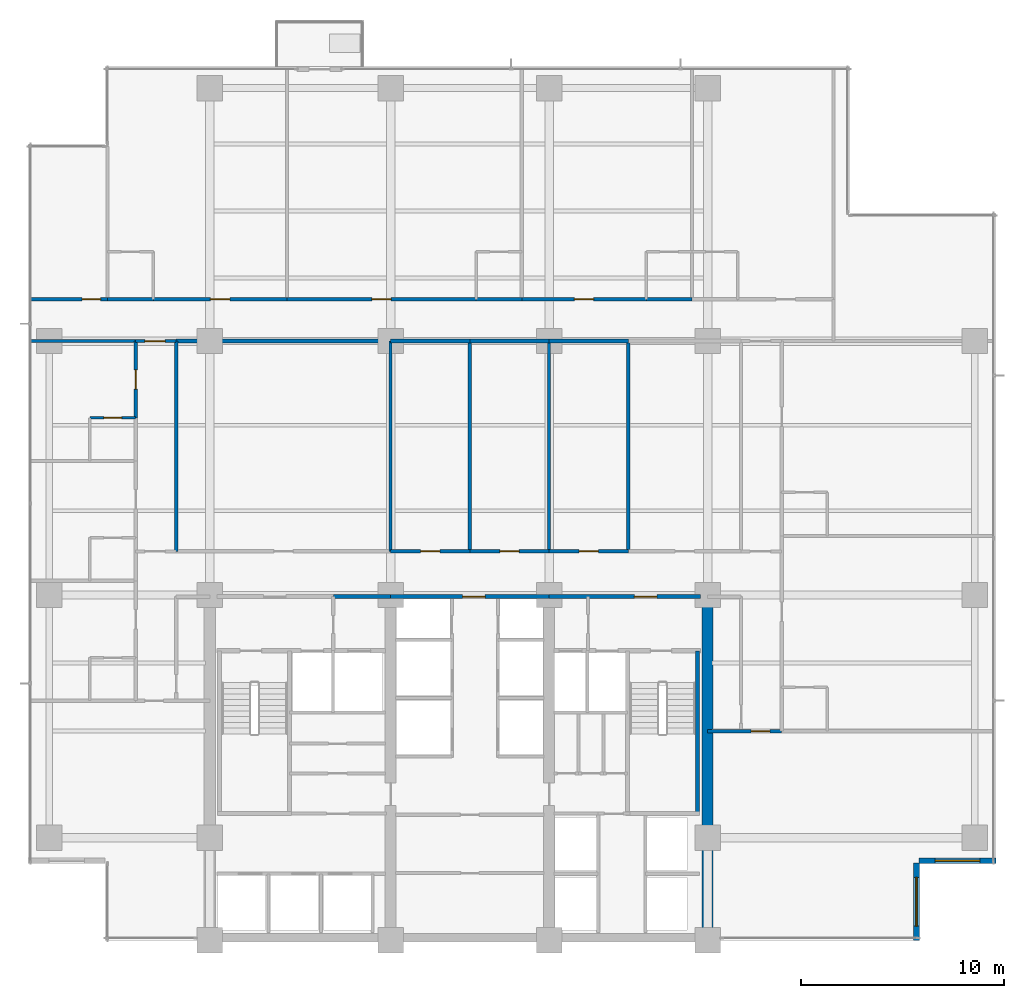
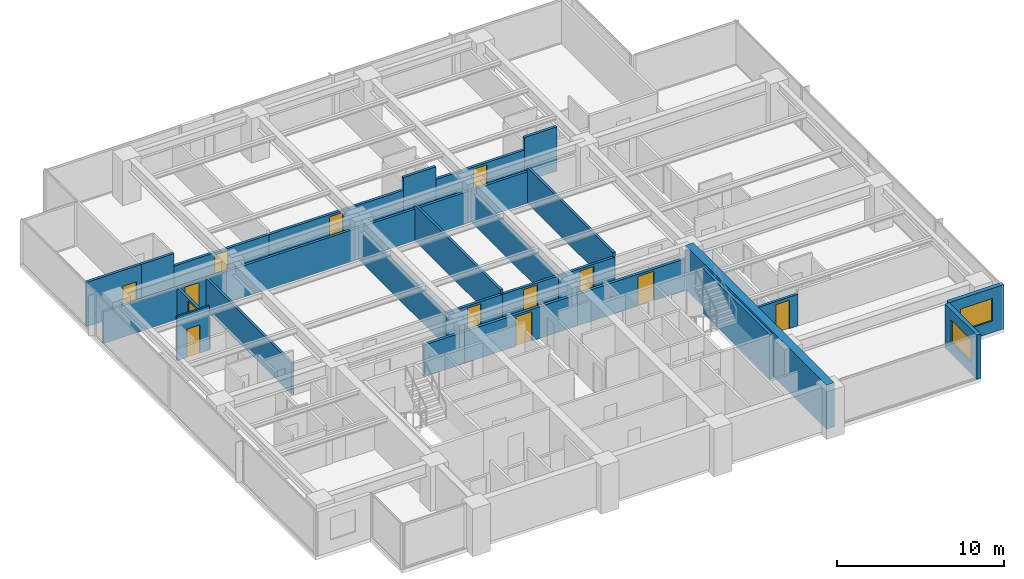
# One storey, part 10 of 17: 31 walls, 13 doors, 2 windows, 15 openings.
"""IFC4 building model written with IfcOpenShell, lengths in metres."""

import ifcopenshell
import ifcopenshell.guid

model = None  # the IFC model being written
_history = None  # IfcOwnerHistory: only IFC2X3 demands one
_inside = {}  # id of a spatial element -> (the spatial element, [elements in it])
_under = {}  # id of a project, library or spatial element -> (it, [spatial elements below it])
_declared = {}  # id of a project -> (the project, [libraries it declares])
_typed = {}  # id of a type object -> (the type object, [elements of that type])
_made_of = {}  # id of a material, layer set ... -> (it, [elements and type objects made of it])


def new_model(schema):
    """Start an empty IFC model of exactly this schema.

    Asked for "IFC4X3", IfcOpenShell would pick the latest addendum, in which some entities
    have other attributes; the version numbers below select the first issue.
    IFC2X3 requires an IfcOwnerHistory on every rooted entity: one is made here for all.
    """
    global model, _history
    if schema == "IFC4X3":
        model = ifcopenshell.file(schema_version=(4, 3, 0, 0))
    else:
        model = ifcopenshell.file(schema=schema)
    _inside.clear()
    _under.clear()
    _declared.clear()
    _typed.clear()
    _made_of.clear()
    _history = None
    if model.schema == "IFC2X3":
        org = make("IfcOrganization", Name="unknown")
        user = make(
            "IfcPersonAndOrganization",
            ThePerson=make("IfcPerson", FamilyName="unknown"),
            TheOrganization=org,
        )
        app = make(
            "IfcApplication",
            ApplicationDeveloper=org,
            Version="unknown",
            ApplicationFullName="unknown",
            ApplicationIdentifier="unknown",
        )
        _history = make(
            "IfcOwnerHistory",
            OwningUser=user,
            OwningApplication=app,
            ChangeAction="ADDED",
            CreationDate=0,
        )
    return model


def make(cls, **values):
    """One entity of the class cls with the attributes given. An attribute that is None is left unset."""
    return model.create_entity(
        cls, **{name: value for name, value in values.items() if value is not None}
    )


def rooted(cls, **values):
    """An entity with a GlobalId (a new one), such as an element, a storey or a relation."""
    return make(cls, GlobalId=ifcopenshell.guid.new(), OwnerHistory=_history, **values)


def si_unit(unit_type, name, prefix=None):
    """IfcSIUnit, for example si_unit("LENGTHUNIT", "METRE", prefix="MILLI")."""
    return make("IfcSIUnit", UnitType=unit_type, Prefix=prefix, Name=name)


def assignment(units):
    """IfcUnitAssignment: the units of a project."""
    return None if units is None else make("IfcUnitAssignment", Units=units)


def point(xyz):
    """IfcCartesianPoint."""
    return None if xyz is None else make("IfcCartesianPoint", Coordinates=xyz)


def direction(xyz):
    """IfcDirection."""
    return None if xyz is None else make("IfcDirection", DirectionRatios=xyz)


def frame(location, z_axis=None, x_axis=None):
    """IfcAxis2Placement3D, a coordinate frame: its origin and axes. An axis left out is left unset."""
    return make(
        "IfcAxis2Placement3D",
        Location=point(location),
        Axis=direction(z_axis),
        RefDirection=direction(x_axis),
    )


def frame_2d(location, x_axis=None):
    """IfcAxis2Placement2D, a coordinate frame in the plane: its origin and x axis."""
    return make(
        "IfcAxis2Placement2D", Location=point(location), RefDirection=direction(x_axis)
    )


def origin():
    """The frame at (0, 0, 0) with its axes left unset."""
    return frame((0.0, 0.0, 0.0))


def place(relative_to, where):
    """IfcLocalPlacement: puts the frame where relative to a parent placement (None: the world)."""
    return make(
        "IfcLocalPlacement", PlacementRelTo=relative_to, RelativePlacement=where
    )


def context(
    kind, dimensions, precision=None, world=None, true_north=None, identifier=None
):
    """IfcGeometricRepresentationContext, for example the 3D "Model" context."""
    return make(
        "IfcGeometricRepresentationContext",
        ContextIdentifier=identifier,
        ContextType=kind,
        CoordinateSpaceDimension=dimensions,
        Precision=precision,
        WorldCoordinateSystem=world,
        TrueNorth=true_north,
    )


def subcontext(parent, identifier, kind, view, scale=None):
    """IfcGeometricRepresentationSubContext, for example "Body" below "Model"."""
    return make(
        "IfcGeometricRepresentationSubContext",
        ContextIdentifier=identifier,
        ContextType=kind,
        ParentContext=parent,
        TargetScale=scale,
        TargetView=view,
    )


def project(units=None, contexts=None):
    """IfcProject with its units and contexts."""
    return rooted(
        "IfcProject",
        Name="project",
        RepresentationContexts=contexts,
        UnitsInContext=assignment(units),
    )


def spatial(cls, under=None, at=None, **own):
    """A site, building, storey or space (cls), placed at a placement, below another one or the project."""
    s = rooted(cls, ObjectPlacement=at, **own)
    if under is not None:
        _under.setdefault(under.id(), (under, []))[1].append(s)
    return s


def profile(cls, at=None, kind="AREA", **sizes):
    """A parametric profile (cls). Its sizes go by their IFC names, for example OverallWidth=200.0."""
    return make(cls, ProfileType=kind, Position=at, **sizes)


def rectangle(**sizes):
    """IfcRectangleProfileDef."""
    return profile("IfcRectangleProfileDef", **sizes)


def extrude(swept, where, along, depth):
    """IfcExtrudedAreaSolid: the profile swept, set in the frame where, extruded along a direction by depth."""
    return make(
        "IfcExtrudedAreaSolid",
        SweptArea=swept,
        Position=where,
        ExtrudedDirection=direction(along),
        Depth=depth,
    )


def shape(context_of_items, identifier, shape_type, items):
    """IfcShapeRepresentation: the items that make up one representation, for example the "Body"."""
    return make(
        "IfcShapeRepresentation",
        ContextOfItems=context_of_items,
        RepresentationIdentifier=identifier,
        RepresentationType=shape_type,
        Items=items,
    )


def material(Name=None, Category=None):
    """IfcMaterial."""
    return make("IfcMaterial", Name=Name, Category=Category)


def layer(
    of_material, thickness, ventilated=None, Name=None, Category=None, Priority=None
):
    """IfcMaterialLayer: one layer of a wall or slab, of a material (None: an air gap)."""
    return make(
        "IfcMaterialLayer",
        Material=of_material,
        LayerThickness=thickness,
        IsVentilated=ventilated,
        Name=Name,
        Category=Category,
        Priority=Priority,
    )


def layer_set(layers, Name=None):
    """IfcMaterialLayerSet."""
    return make("IfcMaterialLayerSet", MaterialLayers=layers, LayerSetName=Name)


def made_of(thing, what):
    """Note that an element or type object is made of a material, layer set ...; save() writes the relation."""
    if what is not None:
        _made_of.setdefault(what.id(), (what, []))[1].append(thing)
    return thing


def type_object(cls, material=None, **own):
    """A type object (cls), such as IfcWallType, which elements share."""
    return made_of(rooted(cls, **own), material)


def element(
    cls,
    number,
    at=None,
    inside=None,
    cuts=None,
    type_object=None,
    material=None,
    context=None,
    identifier="Body",
    shape_type=None,
    held_by="IfcProductDefinitionShape",
    body=None,
    shapes=None,
    **own,
):
    """One element of the class cls, such as IfcWall. Its Tag is "e" and its number.

    at: its placement. inside: the storey or other place that contains it. cuts: it is an
    opening in that element (IfcRelVoidsElement). A single representation is given by context,
    identifier, shape_type and body (its items); several are given by shapes. held_by: the class
    of the entity that holds the representations. save() writes the other relations.
    """
    e = rooted(cls, Tag="e%d" % number, ObjectPlacement=at, **own)
    if body is not None:
        shapes = [shape(context, identifier, shape_type, body)]
    if shapes is not None:
        e.Representation = make(held_by, Representations=shapes)
    if inside is not None:
        _inside.setdefault(inside.id(), (inside, []))[1].append(e)
    if cuts is not None:
        rooted(
            "IfcRelVoidsElement", RelatingBuildingElement=cuts, RelatedOpeningElement=e
        )
    if type_object is not None:
        _typed.setdefault(type_object.id(), (type_object, []))[1].append(e)
    return made_of(e, material)


def fill(opening, filler):
    """IfcRelFillsElement: the door or window that sits in an opening."""
    return rooted(
        "IfcRelFillsElement",
        RelatingOpeningElement=opening,
        RelatedBuildingElement=filler,
    )


def aggregate(whole, parts):
    """IfcRelAggregates: a whole, such as a stair, and the parts it consists of."""
    return rooted("IfcRelAggregates", RelatingObject=whole, RelatedObjects=parts)


def save(model, path):
    """Write the relations noted so far, then the file.

    IfcRelAggregates (storeys below a building ...), IfcRelContainedInSpatialStructure (elements
    in a storey), IfcRelDefinesByType, IfcRelAssociatesMaterial and IfcRelDeclares: one each for
    every whole, place, type object, material and project.
    """
    for whole, parts in _under.values():
        aggregate(whole, parts)
    for where, things in _inside.values():
        rooted(
            "IfcRelContainedInSpatialStructure",
            RelatedElements=things,
            RelatingStructure=where,
        )
    for kind, things in _typed.values():
        rooted("IfcRelDefinesByType", RelatedObjects=things, RelatingType=kind)
    for what, things in _made_of.values():
        rooted("IfcRelAssociatesMaterial", RelatedObjects=things, RelatingMaterial=what)
    for by, libraries in _declared.values():
        rooted("IfcRelDeclares", RelatingContext=by, RelatedDefinitions=libraries)
    model.write(path)


model = new_model("IFC4")

# Units and contexts
model_context = context("Model", 3, precision=1e-05, world=origin(), true_north=direction((0.0, 1.0)))
body_context = subcontext(model_context, "Body", "Model", "MODEL_VIEW")
ifc_project = project(units=[si_unit("LENGTHUNIT", "METRE"), si_unit("AREAUNIT", "SQUARE_METRE"), si_unit("VOLUMEUNIT", "CUBIC_METRE"), si_unit("PLANEANGLEUNIT", "RADIAN"), si_unit("MASSUNIT", "GRAM", prefix="KILO")], contexts=[model_context])

# Site, building, storey
site_placement = place(None, origin())
site = spatial("IfcSite", under=ifc_project, at=site_placement, CompositionType="ELEMENT")
building_placement = place(site_placement, origin())
building = spatial("IfcBuilding", under=site, at=building_placement, Name="Qalmaran Belvedere Hotel", CompositionType="ELEMENT")
storey_placement = place(building_placement, frame((0.0, 0.0, 91.699951171875)))
storey = spatial("IfcBuildingStorey", under=building, at=storey_placement, Name="L22", CompositionType="ELEMENT", Elevation=91.699951171875)

# Wall
ifc_material_1 = material(Name="Concrete C60/75", Category="concrete")
ifc_layer_1 = layer(ifc_material_1, 0.550048828125, Name="Concrete C60/75")
ifc_layer_set_1 = layer_set([ifc_layer_1], Name="Concrete C60/75")
wall_type_1 = type_object("IfcWallType", Name="WL-CORE-550-C60", PredefinedType="SHEAR", material=ifc_layer_set_1)
wall_1_placement = place(storey_placement, frame((44.800048828125, 3.5, 0.0), z_axis=(0.0, 0.0, 1.0), x_axis=(0.0, 1.0, 0.0)))
element("IfcWall", 1, at=wall_1_placement, inside=storey, type_object=wall_type_1, Name="L22 East Core Shear Wall", PredefinedType="SHEAR", context=body_context, shape_type="SweptSolid", body=[
    extrude(rectangle(XDim=16.89990234375, YDim=0.550048828125, at=frame_2d((8.449951171875, 0.0))), origin(), (0.0, 0.0, 1.0), 3.239990234375),
])

# Wall, opening, window
ifc_material_2 = material(Name="Anodised Bronze Cladding")
ifc_layer_2 = layer(ifc_material_2, 0.280029296875, Name="Anodised Bronze Cladding")
ifc_layer_set_2 = layer_set([ifc_layer_2], Name="Anodised Bronze Cladding")
wall_type_2 = type_object("IfcWallType", Name="WL-EXT-BRNZ-280", PredefinedType="SOLIDWALL", material=ifc_layer_set_2)
wall_2_placement = place(storey_placement, frame((55.080078125, 3.5, 0.0), z_axis=(0.0, 0.0, 1.0), x_axis=(0.0, 1.0, 0.0)))
wall_2 = element("IfcWall", 2, at=wall_2_placement, inside=storey, type_object=wall_type_2, Name="L22 Corner Notch Wall 1", PredefinedType="SOLIDWALL", context=body_context, shape_type="SweptSolid", body=[
    extrude(rectangle(XDim=3.800048828125, YDim=0.280029296875, at=frame_2d((1.89990234375, 0.0))), origin(), (0.0, 0.0, 1.0), 3.239990234375),
])
opening_1_placement = place(wall_2_placement, frame((0.699951171875, 0.0, 0.85009765625)))
opening_1 = element("IfcOpeningElement", 3, at=opening_1_placement, cuts=wall_2, Name="Opening W-N24", PredefinedType="OPENING", context=body_context, shape_type="SweptSolid", body=[
    extrude(rectangle(XDim=2.39990234375, YDim=1.64990234375, at=frame_2d((1.199951171875, 0.824951171875))), frame((0.0, 0.14990234375, 0.0), z_axis=(0.0, -1.0, 0.0), x_axis=(1.0, 0.0, 0.0)), (0.0, 0.0, 1.0), 0.300048828125),
])
ifc_material_3 = material(Name="Solar-Control Double Glazing", Category="glass")
window_type_1 = type_object("IfcWindowType", Name="WN-NTC-2400X1650", PartitioningType="SINGLE_PANEL", PredefinedType="WINDOW", material=ifc_material_3)
window_1_placement = place(opening_1_placement, origin())
window_1 = element("IfcWindow", 4, at=window_1_placement, inside=storey, type_object=window_type_1, Name="L22 Corner Notch Window 1", OverallHeight=1.64990234375, OverallWidth=2.39990234375, PartitioningType="SINGLE_PANEL", PredefinedType="WINDOW", context=body_context, shape_type="SweptSolid", body=[
    extrude(rectangle(XDim=2.39990234375, YDim=1.64990234375, at=frame_2d((1.199951171875, 0.824951171875))), frame((0.0, 0.030029296875, 0.0), z_axis=(0.0, -1.0, 0.0), x_axis=(1.0, 0.0, 0.0)), (0.0, 0.0, 1.0), 0.06005859375),
])
fill(opening_1, window_1)

wall_3_placement = place(storey_placement, frame((55.199951171875, 7.419921875, 0.0), z_axis=(0.0, 0.0, 1.0), x_axis=(1.0, 0.0, 0.0)))
wall_3 = element("IfcWall", 5, at=wall_3_placement, inside=storey, type_object=wall_type_2, Name="L22 Corner Notch Wall 2", PredefinedType="SOLIDWALL", context=body_context, shape_type="SweptSolid", body=[
    extrude(rectangle(XDim=3.800048828125, YDim=0.280029296875, at=frame_2d((1.89990234375, 0.0))), origin(), (0.0, 0.0, 1.0), 3.239990234375),
])
opening_2_placement = place(wall_3_placement, frame((0.800048828125, 0.0, 0.85009765625)))
opening_2 = element("IfcOpeningElement", 6, at=opening_2_placement, cuts=wall_3, Name="Opening W-N22", PredefinedType="OPENING", context=body_context, shape_type="SweptSolid", body=[
    extrude(rectangle(XDim=2.199951171875, YDim=1.64990234375, at=frame_2d((1.10009765625, 0.824951171875))), frame((0.0, 0.14990234375, 0.0), z_axis=(0.0, -1.0, 0.0), x_axis=(1.0, 0.0, 0.0)), (0.0, 0.0, 1.0), 0.300048828125),
])
window_type_2 = type_object("IfcWindowType", Name="WN-NTC-2200X1650", PartitioningType="SINGLE_PANEL", PredefinedType="WINDOW", material=ifc_material_3)
window_2_placement = place(opening_2_placement, origin())
window_2 = element("IfcWindow", 7, at=window_2_placement, inside=storey, type_object=window_type_2, Name="L22 Corner Notch Window 2", OverallHeight=1.64990234375, OverallWidth=2.199951171875, PartitioningType="SINGLE_PANEL", PredefinedType="WINDOW", context=body_context, shape_type="SweptSolid", body=[
    extrude(rectangle(XDim=2.199951171875, YDim=1.64990234375, at=frame_2d((1.10009765625, 0.824951171875))), frame((0.0, 0.030029296875, 0.0), z_axis=(0.0, -1.0, 0.0), x_axis=(1.0, 0.0, 0.0)), (0.0, 0.0, 1.0), 0.06005859375),
])
fill(opening_2, window_2)

# Wall, opening, door
ifc_material_4 = material(Name="Moisture-Resistant Gypsum")
ifc_layer_3 = layer(ifc_material_4, 0.1201171875, Name="Moisture-Resistant Gypsum")
ifc_layer_set_3 = layer_set([ifc_layer_3], Name="Moisture-Resistant Gypsum")
wall_type_3 = type_object("IfcWallType", Name="WL-INT-120-BATH", PredefinedType="PARTITIONING", material=ifc_layer_set_3)
wall_4_placement = place(storey_placement, frame((14.39990234375, 29.219970703125, 0.0), z_axis=(0.0, 0.0, 1.0), x_axis=(1.0, 0.0, 0.0)))
wall_4 = element("IfcWall", 8, at=wall_4_placement, inside=storey, type_object=wall_type_3, Name="L22 Partition WL-L22-WBN02", PredefinedType="PARTITIONING", context=body_context, shape_type="SweptSolid", body=[
    extrude(rectangle(XDim=2.25, YDim=0.1201171875, at=frame_2d((1.125, 0.0))), origin(), (0.0, 0.0, 1.0), 3.239990234375),
])
opening_3_placement = place(wall_4_placement, frame((1.56494140625, 0.0, 0.0), z_axis=(0.0, 0.0, 1.0), x_axis=(-1.0, 0.0, 0.0)))
opening_3 = element("IfcOpeningElement", 9, at=opening_3_placement, cuts=wall_4, Name="Opening D-BATH", PredefinedType="OPENING", context=body_context, shape_type="SweptSolid", body=[
    extrude(rectangle(XDim=0.8798828125, YDim=2.080078125, at=frame_2d((0.43994140625, 1.0400390625))), frame((0.0, 0.070068359375, 0.0), z_axis=(0.0, -1.0, 0.0), x_axis=(1.0, 0.0, 0.0)), (0.0, 0.0, 1.0), 0.14013671875),
])
ifc_material_5 = material(Name="Engineered Oak Veneer")
door_type_1 = type_object("IfcDoorType", Name="DR-INT-BATH-880X2080", OperationType="NOTDEFINED", PredefinedType="DOOR", material=ifc_material_5)
door_1_placement = place(opening_3_placement, origin())
door_1 = element("IfcDoor", 10, at=door_1_placement, inside=storey, type_object=door_type_1, Name="L22 W Ensuite Door 03", OperationType="SINGLE_SWING_LEFT", OverallHeight=2.080078125, OverallWidth=0.8798828125, PredefinedType="DOOR", context=body_context, shape_type="SweptSolid", body=[
    extrude(rectangle(XDim=0.8798828125, YDim=2.080078125, at=frame_2d((0.43994140625, 1.0400390625))), frame((0.0, 0.02490234375, 0.0), z_axis=(0.0, -1.0, 0.0), x_axis=(1.0, 0.0, 0.0)), (0.0, 0.0, 1.0), 0.050048828125),
])
fill(opening_3, door_1)

ifc_material_6 = material(Name="Gypsum Stud Partition")
ifc_layer_4 = layer(ifc_material_6, 0.14990234375, Name="Gypsum Stud Partition")
ifc_layer_set_4 = layer_set([ifc_layer_4], Name="Gypsum Stud Partition")
wall_type_4 = type_object("IfcWallType", Name="WL-INT-150-EI60", PredefinedType="PARTITIONING", material=ifc_layer_set_4)
wall_5_placement = place(storey_placement, frame((16.64990234375, 33.0, 0.0), z_axis=(0.0, 0.0, 1.0), x_axis=(1.0, 0.0, 0.0)))
wall_5 = element("IfcWall", 11, at=wall_5_placement, inside=storey, type_object=wall_type_4, Name="L22 Partition WL-L22-XCW2", PredefinedType="PARTITIONING", context=body_context, shape_type="SweptSolid", body=[
    extrude(rectangle(XDim=2.0, YDim=0.14990234375, at=frame_2d((1.0, 0.0))), origin(), (0.0, 0.0, 1.0), 2.31298828125),
])
opening_4_placement = place(wall_5_placement, frame((0.449951171875, 0.0, 0.0)))
opening_4 = element("IfcOpeningElement", 12, at=opening_4_placement, cuts=wall_5, Name="Opening FD90B", PredefinedType="OPENING", context=body_context, shape_type="SweptSolid", body=[
    extrude(rectangle(XDim=1.0, YDim=2.14990234375, at=frame_2d((0.5, 1.074951171875))), frame((0.0, 0.0849609375, 0.0), z_axis=(0.0, -1.0, 0.0), x_axis=(1.0, 0.0, 0.0)), (0.0, 0.0, 1.0), 0.169921875),
])
ifc_material_7 = material(Name="Steel S355JR", Category="steel")
door_type_2 = type_object("IfcDoorType", Name="DR-FD90B-1000X2150", OperationType="NOTDEFINED", PredefinedType="DOOR", material=ifc_material_7)
door_2_placement = place(opening_4_placement, origin())
door_2 = element("IfcDoor", 13, at=door_2_placement, inside=storey, type_object=door_type_2, Name="L22 West Corridor Smoke Door N", OperationType="SINGLE_SWING_LEFT", OverallHeight=2.14990234375, OverallWidth=1.0, PredefinedType="DOOR", context=body_context, shape_type="SweptSolid", body=[
    extrude(rectangle(XDim=1.0, YDim=2.14990234375, at=frame_2d((0.5, 1.074951171875))), frame((0.0, 0.02490234375, 0.0), z_axis=(0.0, -1.0, 0.0), x_axis=(1.0, 0.0, 0.0)), (0.0, 0.0, 1.0), 0.050048828125),
])
fill(opening_4, door_2)

ifc_layer_5 = layer(ifc_material_6, 0.159912109375, Name="Gypsum Stud Partition")
ifc_layer_set_5 = layer_set([ifc_layer_5], Name="Gypsum Stud Partition")
wall_type_5 = type_object("IfcWallType", Name="WL-INT-160-EI60", PredefinedType="PARTITIONING", material=ifc_layer_set_5)
wall_6_placement = place(storey_placement, frame((44.800048828125, 13.800048828125, 0.0), z_axis=(0.0, 0.0, 1.0), x_axis=(1.0, 0.0, 0.0)))
wall_6 = element("IfcWall", 14, at=wall_6_placement, inside=storey, type_object=wall_type_5, Name="L22 Partition WL-L22-SERL", PredefinedType="PARTITIONING", context=body_context, shape_type="SweptSolid", body=[
    extrude(rectangle(XDim=3.64990234375, YDim=0.159912109375, at=frame_2d((1.824951171875, 0.0))), origin(), (0.0, 0.0, 1.0), 2.31298828125),
])
opening_5_placement = place(wall_6_placement, frame((3.06982421875, 0.0, 0.0), z_axis=(0.0, 0.0, 1.0), x_axis=(-1.0, 0.0, 0.0)))
opening_5 = element("IfcOpeningElement", 15, at=opening_5_placement, cuts=wall_6, Name="Opening FD60S1", PredefinedType="OPENING", context=body_context, shape_type="SweptSolid", body=[
    extrude(rectangle(XDim=0.919921875, YDim=2.080078125, at=frame_2d((0.4599609375, 1.0400390625))), frame((0.0, 0.08984375, 0.0), z_axis=(0.0, -1.0, 0.0), x_axis=(1.0, 0.0, 0.0)), (0.0, 0.0, 1.0), 0.179931640625),
])
door_type_3 = type_object("IfcDoorType", Name="DR-FD60S-920X2080", OperationType="NOTDEFINED", PredefinedType="DOOR", material=ifc_material_5)
door_3_placement = place(opening_5_placement, origin())
door_3 = element("IfcDoor", 16, at=door_3_placement, inside=storey, type_object=door_type_3, Name="L22 SE Lounge Door", OperationType="SINGLE_SWING_LEFT", OverallHeight=2.080078125, OverallWidth=0.919921875, PredefinedType="DOOR", context=body_context, shape_type="SweptSolid", body=[
    extrude(rectangle(XDim=0.919921875, YDim=2.080078125, at=frame_2d((0.4599609375, 1.0400390625))), frame((0.0, 0.02490234375, 0.0), z_axis=(0.0, -1.0, 0.0), x_axis=(1.0, 0.0, 0.0)), (0.0, 0.0, 1.0), 0.050048828125),
])
fill(opening_5, door_3)

# Walls
for number, where, z_axis, x_axis, name in (
    (17, (18.64990234375, 22.64990234375, 0.0), (0.0, 0.0, 1.0), (0.0, 1.0, 0.0), "L22 Partition WL-L22-MIDVL"),
    (18, (29.199951171875, 22.64990234375, 0.0), (0.0, 0.0, 1.0), (0.0, 1.0, 0.0), "L22 Partition WL-L22-MIDVR1"),
):
    element("IfcWall", number, at=place(storey_placement, frame(where, z_axis=z_axis, x_axis=x_axis)), inside=storey, type_object=wall_type_5, Name=name, PredefinedType="PARTITIONING", context=body_context, shape_type="SweptSolid", body=[
        extrude(rectangle(XDim=10.35009765625, YDim=0.159912109375, at=frame_2d((5.175048828125, 0.0))), origin(), (0.0, 0.0, 1.0), 2.31298828125),
    ])
wall_7_placement = place(storey_placement, frame((33.10009765625, 22.64990234375, 0.0), z_axis=(0.0, 0.0, 1.0), x_axis=(0.0, 1.0, 0.0)))
element("IfcWall", 19, at=wall_7_placement, inside=storey, type_object=wall_type_5, Name="L22 Partition WL-L22-MIDVR2", PredefinedType="PARTITIONING", context=body_context, shape_type="SweptSolid", body=[
    extrude(rectangle(XDim=10.35009765625, YDim=0.159912109375, at=frame_2d((5.175048828125, 0.0))), origin(), (0.0, 0.0, 1.0), 2.614013671875),
])
wall_8_placement = place(storey_placement, frame((37.0, 22.64990234375, 0.0), z_axis=(0.0, 0.0, 1.0), x_axis=(0.0, 1.0, 0.0)))
element("IfcWall", 20, at=wall_8_placement, inside=storey, type_object=wall_type_5, Name="L22 Partition WL-L22-MIDVR3", PredefinedType="PARTITIONING", context=body_context, shape_type="SweptSolid", body=[
    extrude(rectangle(XDim=10.35009765625, YDim=0.159912109375, at=frame_2d((5.175048828125, 0.0))), origin(), (0.0, 0.0, 1.0), 2.31298828125),
])
wall_9_placement = place(storey_placement, frame((40.89990234375, 22.64990234375, 0.0), z_axis=(0.0, 0.0, 1.0), x_axis=(0.0, 1.0, 0.0)))
element("IfcWall", 21, at=wall_9_placement, inside=storey, type_object=wall_type_5, Name="L22 Partition WL-L22-MIDVR4", PredefinedType="PARTITIONING", context=body_context, shape_type="SweptSolid", body=[
    extrude(rectangle(XDim=10.35009765625, YDim=0.159912109375, at=frame_2d((5.175048828125, 0.0))), origin(), (0.0, 0.0, 1.0), 2.614013671875),
])
wall_10_placement = place(storey_placement, frame((11.469970703125, 33.0, 0.0), z_axis=(0.0, 0.0, 1.0), x_axis=(1.0, 0.0, 0.0)))
element("IfcWall", 22, at=wall_10_placement, inside=storey, type_object=wall_type_5, Name="L22 Partition WL-L22-WU02", PredefinedType="PARTITIONING", context=body_context, shape_type="SweptSolid", body=[
    extrude(rectangle(XDim=5.179931640625, YDim=0.159912109375, at=frame_2d((2.58984375, 0.0))), origin(), (0.0, 0.0, 1.0), 2.31298828125),
])
ifc_layer_6 = layer(ifc_material_6, 0.179931640625, Name="Gypsum Stud Partition")
ifc_layer_set_6 = layer_set([ifc_layer_6], Name="Gypsum Stud Partition")
wall_type_6 = type_object("IfcWallType", Name="WL-INT-180-EI60", PredefinedType="PARTITIONING", material=ifc_layer_set_6)
wall_11_placement = place(storey_placement, frame((18.64990234375, 33.0, 0.0), z_axis=(0.0, 0.0, 1.0), x_axis=(1.0, 0.0, 0.0)))
element("IfcWall", 23, at=wall_11_placement, inside=storey, type_object=wall_type_6, Name="L22 Partition WL-L22-MIDO1", PredefinedType="PARTITIONING", context=body_context, shape_type="SweptSolid", body=[
    extrude(rectangle(XDim=10.550048828125, YDim=0.179931640625, at=frame_2d((5.27490234375, 0.0))), origin(), (0.0, 0.0, 1.0), 2.31298828125),
])

# Wall, opening, door
wall_12_placement = place(storey_placement, frame((29.199951171875, 22.64990234375, 0.0), z_axis=(0.0, 0.0, 1.0), x_axis=(1.0, 0.0, 0.0)))
wall_12 = element("IfcWall", 24, at=wall_12_placement, inside=storey, type_object=wall_type_6, Name="L22 Partition WL-L22-MIDD2", PredefinedType="PARTITIONING", context=body_context, shape_type="SweptSolid", body=[
    extrude(rectangle(XDim=3.900146484375, YDim=0.179931640625, at=frame_2d((1.9501953125, 0.0))), origin(), (0.0, 0.0, 1.0), 2.31298828125),
])
opening_6_placement = place(wall_12_placement, frame((1.47509765625, 0.0, 0.0)))
opening_6 = element("IfcOpeningElement", 25, at=opening_6_placement, cuts=wall_12, Name="Opening FD60", PredefinedType="OPENING", context=body_context, shape_type="SweptSolid", body=[
    extrude(rectangle(XDim=0.949951171875, YDim=2.14990234375, at=frame_2d((0.47509765625, 1.074951171875))), frame((0.0, 0.10009765625, 0.0), z_axis=(0.0, -1.0, 0.0), x_axis=(1.0, 0.0, 0.0)), (0.0, 0.0, 1.0), 0.199951171875),
])
door_type_4 = type_object("IfcDoorType", Name="DR-FD60-950X2150", OperationType="NOTDEFINED", PredefinedType="DOOR", material=ifc_material_5)
door_4_placement = place(opening_6_placement, origin())
door_4 = element("IfcDoor", 26, at=door_4_placement, inside=storey, type_object=door_type_4, Name="L22 Butler Pantry Door", OperationType="SINGLE_SWING_LEFT", OverallHeight=2.14990234375, OverallWidth=0.949951171875, PredefinedType="DOOR", context=body_context, shape_type="SweptSolid", body=[
    extrude(rectangle(XDim=0.949951171875, YDim=2.14990234375, at=frame_2d((0.47509765625, 1.074951171875))), frame((0.0, 0.02490234375, 0.0), z_axis=(0.0, -1.0, 0.0), x_axis=(1.0, 0.0, 0.0)), (0.0, 0.0, 1.0), 0.050048828125),
])
fill(opening_6, door_4)

# Wall
wall_13_placement = place(storey_placement, frame((29.199951171875, 33.0, 0.0), z_axis=(0.0, 0.0, 1.0), x_axis=(1.0, 0.0, 0.0)))
element("IfcWall", 27, at=wall_13_placement, inside=storey, type_object=wall_type_6, Name="L22 Partition WL-L22-MIDO2", PredefinedType="PARTITIONING", context=body_context, shape_type="SweptSolid", body=[
    extrude(rectangle(XDim=3.900146484375, YDim=0.179931640625, at=frame_2d((1.9501953125, 0.0))), origin(), (0.0, 0.0, 1.0), 2.31298828125),
])

# Wall, opening, door
wall_14_placement = place(storey_placement, frame((33.10009765625, 22.64990234375, 0.0), z_axis=(0.0, 0.0, 1.0), x_axis=(1.0, 0.0, 0.0)))
wall_14 = element("IfcWall", 28, at=wall_14_placement, inside=storey, type_object=wall_type_6, Name="L22 Partition WL-L22-MIDD3", PredefinedType="PARTITIONING", context=body_context, shape_type="SweptSolid", body=[
    extrude(rectangle(XDim=3.89990234375, YDim=0.179931640625, at=frame_2d((1.949951171875, 0.0))), origin(), (0.0, 0.0, 1.0), 2.31298828125),
])
opening_7_placement = place(wall_14_placement, frame((1.47509765625, 0.0, 0.0)))
opening_7 = element("IfcOpeningElement", 29, at=opening_7_placement, cuts=wall_14, Name="Opening FD60", PredefinedType="OPENING", context=body_context, shape_type="SweptSolid", body=[
    extrude(rectangle(XDim=0.949951171875, YDim=2.14990234375, at=frame_2d((0.47509765625, 1.074951171875))), frame((0.0, 0.10009765625, 0.0), z_axis=(0.0, -1.0, 0.0), x_axis=(1.0, 0.0, 0.0)), (0.0, 0.0, 1.0), 0.199951171875),
])
door_5_placement = place(opening_7_placement, origin())
door_5 = element("IfcDoor", 30, at=door_5_placement, inside=storey, type_object=door_type_4, Name="L22 Tea Pantry Door", OperationType="SINGLE_SWING_RIGHT", OverallHeight=2.14990234375, OverallWidth=0.949951171875, PredefinedType="DOOR", context=body_context, shape_type="SweptSolid", body=[
    extrude(rectangle(XDim=0.949951171875, YDim=2.14990234375, at=frame_2d((0.47509765625, 1.074951171875))), frame((0.0, 0.02490234375, 0.0), z_axis=(0.0, -1.0, 0.0), x_axis=(1.0, 0.0, 0.0)), (0.0, 0.0, 1.0), 0.050048828125),
])
fill(opening_7, door_5)

# Wall
wall_15_placement = place(storey_placement, frame((33.10009765625, 33.0, 0.0), z_axis=(0.0, 0.0, 1.0), x_axis=(1.0, 0.0, 0.0)))
element("IfcWall", 31, at=wall_15_placement, inside=storey, type_object=wall_type_6, Name="L22 Partition WL-L22-MIDO3", PredefinedType="PARTITIONING", context=body_context, shape_type="SweptSolid", body=[
    extrude(rectangle(XDim=3.89990234375, YDim=0.179931640625, at=frame_2d((1.949951171875, 0.0))), origin(), (0.0, 0.0, 1.0), 2.31298828125),
])

# Wall, opening, door
wall_16_placement = place(storey_placement, frame((37.0, 22.64990234375, 0.0), z_axis=(0.0, 0.0, 1.0), x_axis=(1.0, 0.0, 0.0)))
wall_16 = element("IfcWall", 32, at=wall_16_placement, inside=storey, type_object=wall_type_6, Name="L22 Partition WL-L22-MIDD4", PredefinedType="PARTITIONING", context=body_context, shape_type="SweptSolid", body=[
    extrude(rectangle(XDim=3.89990234375, YDim=0.179931640625, at=frame_2d((1.949951171875, 0.0))), origin(), (0.0, 0.0, 1.0), 2.31298828125),
])
opening_8_placement = place(wall_16_placement, frame((1.47509765625, 0.0, 0.0)))
opening_8 = element("IfcOpeningElement", 33, at=opening_8_placement, cuts=wall_16, Name="Opening FD60", PredefinedType="OPENING", context=body_context, shape_type="SweptSolid", body=[
    extrude(rectangle(XDim=0.949951171875, YDim=2.14990234375, at=frame_2d((0.47509765625, 1.074951171875))), frame((0.0, 0.10009765625, 0.0), z_axis=(0.0, -1.0, 0.0), x_axis=(1.0, 0.0, 0.0)), (0.0, 0.0, 1.0), 0.199951171875),
])
door_6_placement = place(opening_8_placement, origin())
door_6 = element("IfcDoor", 34, at=door_6_placement, inside=storey, type_object=door_type_4, Name="L22 Pastry Pantry Door", OperationType="SINGLE_SWING_LEFT", OverallHeight=2.14990234375, OverallWidth=0.949951171875, PredefinedType="DOOR", context=body_context, shape_type="SweptSolid", body=[
    extrude(rectangle(XDim=0.949951171875, YDim=2.14990234375, at=frame_2d((0.47509765625, 1.074951171875))), frame((0.0, 0.02490234375, 0.0), z_axis=(0.0, -1.0, 0.0), x_axis=(1.0, 0.0, 0.0)), (0.0, 0.0, 1.0), 0.050048828125),
])
fill(opening_8, door_6)

# Walls
wall_17_placement = place(storey_placement, frame((37.0, 33.0, 0.0), z_axis=(0.0, 0.0, 1.0), x_axis=(1.0, 0.0, 0.0)))
element("IfcWall", 35, at=wall_17_placement, inside=storey, type_object=wall_type_6, Name="L22 Partition WL-L22-MIDO4", PredefinedType="PARTITIONING", context=body_context, shape_type="SweptSolid", body=[
    extrude(rectangle(XDim=3.89990234375, YDim=0.179931640625, at=frame_2d((1.949951171875, 0.0))), origin(), (0.0, 0.0, 1.0), 2.31298828125),
])
wall_18_placement = place(storey_placement, frame((15.27001953125, 35.050048828125, 0.0), z_axis=(0.0, 0.0, 1.0), x_axis=(1.0, 0.0, 0.0)))
element("IfcWall", 36, at=wall_18_placement, inside=storey, type_object=wall_type_6, Name="L22 Partition WL-L22-NBC00", PredefinedType="PARTITIONING", context=body_context, shape_type="SweptSolid", body=[
    extrude(rectangle(XDim=2.25, YDim=0.179931640625, at=frame_2d((1.125, 0.0))), origin(), (0.0, 0.0, 1.0), 3.239990234375),
])

# Wall, opening, door
wall_19_placement = place(storey_placement, frame((17.52001953125, 35.050048828125, 0.0), z_axis=(0.0, 0.0, 1.0), x_axis=(1.0, 0.0, 0.0)))
wall_19 = element("IfcWall", 37, at=wall_19_placement, inside=storey, type_object=wall_type_6, Name="L22 Partition WL-L22-NEC00", PredefinedType="PARTITIONING", context=body_context, shape_type="SweptSolid", body=[
    extrude(rectangle(XDim=6.580078125, YDim=0.179931640625, at=frame_2d((3.2900390625, 0.0))), origin(), (0.0, 0.0, 1.0), 2.31298828125),
])
opening_9_placement = place(wall_19_placement, frame((2.81494140625, 0.0, 0.0)))
opening_9 = element("IfcOpeningElement", 38, at=opening_9_placement, cuts=wall_19, Name="Opening FD60", PredefinedType="OPENING", context=body_context, shape_type="SweptSolid", body=[
    extrude(rectangle(XDim=0.949951171875, YDim=2.14990234375, at=frame_2d((0.47509765625, 1.074951171875))), frame((0.0, 0.10009765625, 0.0), z_axis=(0.0, -1.0, 0.0), x_axis=(1.0, 0.0, 0.0)), (0.0, 0.0, 1.0), 0.199951171875),
])
door_7_placement = place(opening_9_placement, origin())
door_7 = element("IfcDoor", 39, at=door_7_placement, inside=storey, type_object=door_type_4, Name="L22 Guest Entrance Door N01", OperationType="SINGLE_SWING_RIGHT", OverallHeight=2.14990234375, OverallWidth=0.949951171875, PredefinedType="DOOR", context=body_context, shape_type="SweptSolid", body=[
    extrude(rectangle(XDim=0.949951171875, YDim=2.14990234375, at=frame_2d((0.47509765625, 1.074951171875))), frame((0.0, 0.02490234375, 0.0), z_axis=(0.0, -1.0, 0.0), x_axis=(1.0, 0.0, 0.0)), (0.0, 0.0, 1.0), 0.050048828125),
])
fill(opening_9, door_7)

# Wall
wall_20_placement = place(storey_placement, frame((33.40966796875, 35.050048828125, 0.0), z_axis=(0.0, 0.0, 1.0), x_axis=(1.0, 0.0, 0.0)))
element("IfcWall", 40, at=wall_20_placement, inside=storey, type_object=wall_type_6, Name="L22 Partition WL-L22-NBC01", PredefinedType="PARTITIONING", context=body_context, shape_type="SweptSolid", body=[
    extrude(rectangle(XDim=2.25, YDim=0.179931640625, at=frame_2d((1.125, 0.0))), origin(), (0.0, 0.0, 1.0), 3.239990234375),
])

# Wall, opening, door
wall_21_placement = place(storey_placement, frame((24.10009765625, 35.050048828125, 0.0), z_axis=(0.0, 0.0, 1.0), x_axis=(1.0, 0.0, 0.0)))
wall_21 = element("IfcWall", 41, at=wall_21_placement, inside=storey, type_object=wall_type_6, Name="L22 Partition WL-L22-NEC01", PredefinedType="PARTITIONING", context=body_context, shape_type="SweptSolid", body=[
    extrude(rectangle(XDim=9.3095703125, YDim=0.179931640625, at=frame_2d((4.65478515625, 0.0))), origin(), (0.0, 0.0, 1.0), 2.31298828125),
])
opening_10_placement = place(wall_21_placement, frame((4.1796875, 0.0, 0.0)))
opening_10 = element("IfcOpeningElement", 42, at=opening_10_placement, cuts=wall_21, Name="Opening FD60", PredefinedType="OPENING", context=body_context, shape_type="SweptSolid", body=[
    extrude(rectangle(XDim=0.949951171875, YDim=2.14990234375, at=frame_2d((0.47509765625, 1.074951171875))), frame((0.0, 0.10009765625, 0.0), z_axis=(0.0, -1.0, 0.0), x_axis=(1.0, 0.0, 0.0)), (0.0, 0.0, 1.0), 0.199951171875),
])
door_8_placement = place(opening_10_placement, origin())
door_8 = element("IfcDoor", 43, at=door_8_placement, inside=storey, type_object=door_type_4, Name="L22 Guest Entrance Door N02", OperationType="SINGLE_SWING_RIGHT", OverallHeight=2.14990234375, OverallWidth=0.949951171875, PredefinedType="DOOR", context=body_context, shape_type="SweptSolid", body=[
    extrude(rectangle(XDim=0.949951171875, YDim=2.14990234375, at=frame_2d((0.47509765625, 1.074951171875))), frame((0.0, 0.02490234375, 0.0), z_axis=(0.0, -1.0, 0.0), x_axis=(1.0, 0.0, 0.0)), (0.0, 0.0, 1.0), 0.050048828125),
])
fill(opening_10, door_8)

# Wall
wall_22_placement = place(storey_placement, frame((41.783935546875, 35.050048828125, 0.0), z_axis=(0.0, 0.0, 1.0), x_axis=(1.0, 0.0, 0.0)))
element("IfcWall", 44, at=wall_22_placement, inside=storey, type_object=wall_type_6, Name="L22 Partition WL-L22-NBC02", PredefinedType="PARTITIONING", context=body_context, shape_type="SweptSolid", body=[
    extrude(rectangle(XDim=2.25, YDim=0.179931640625, at=frame_2d((1.125, 0.0))), origin(), (0.0, 0.0, 1.0), 3.239990234375),
])

# Wall, opening, door
wall_23_placement = place(storey_placement, frame((35.65966796875, 35.050048828125, 0.0), z_axis=(0.0, 0.0, 1.0), x_axis=(1.0, 0.0, 0.0)))
wall_23 = element("IfcWall", 45, at=wall_23_placement, inside=storey, type_object=wall_type_6, Name="L22 Partition WL-L22-NEC02", PredefinedType="PARTITIONING", context=body_context, shape_type="SweptSolid", body=[
    extrude(rectangle(XDim=6.124267578125, YDim=0.179931640625, at=frame_2d((3.06201171875, 0.0))), origin(), (0.0, 0.0, 1.0), 2.31298828125),
])
opening_11_placement = place(wall_23_placement, frame((2.587158203125, 0.0, 0.0)))
opening_11 = element("IfcOpeningElement", 46, at=opening_11_placement, cuts=wall_23, Name="Opening FD60", PredefinedType="OPENING", context=body_context, shape_type="SweptSolid", body=[
    extrude(rectangle(XDim=0.949951171875, YDim=2.14990234375, at=frame_2d((0.47509765625, 1.074951171875))), frame((0.0, 0.10009765625, 0.0), z_axis=(0.0, -1.0, 0.0), x_axis=(1.0, 0.0, 0.0)), (0.0, 0.0, 1.0), 0.199951171875),
])
door_9_placement = place(opening_11_placement, origin())
door_9 = element("IfcDoor", 47, at=door_9_placement, inside=storey, type_object=door_type_4, Name="L22 Guest Entrance Door N03", OperationType="SINGLE_SWING_RIGHT", OverallHeight=2.14990234375, OverallWidth=0.949951171875, PredefinedType="DOOR", context=body_context, shape_type="SweptSolid", body=[
    extrude(rectangle(XDim=0.949951171875, YDim=2.14990234375, at=frame_2d((0.47509765625, 1.074951171875))), frame((0.0, 0.02490234375, 0.0), z_axis=(0.0, -1.0, 0.0), x_axis=(1.0, 0.0, 0.0)), (0.0, 0.0, 1.0), 0.050048828125),
])
fill(opening_11, door_9)

wall_24_placement = place(storey_placement, frame((16.64990234375, 29.219970703125, 0.0), z_axis=(0.0, 0.0, 1.0), x_axis=(0.0, 1.0, 0.0)))
wall_24 = element("IfcWall", 48, at=wall_24_placement, inside=storey, type_object=wall_type_6, Name="L22 Partition WL-L22-WEC02", PredefinedType="PARTITIONING", context=body_context, shape_type="SweptSolid", body=[
    extrude(rectangle(XDim=3.780029296875, YDim=0.179931640625, at=frame_2d((1.89013671875, 0.0))), origin(), (0.0, 0.0, 1.0), 2.31298828125),
])
opening_12_placement = place(wall_24_placement, frame((1.4150390625, 0.0, 0.0)))
opening_12 = element("IfcOpeningElement", 49, at=opening_12_placement, cuts=wall_24, Name="Opening FD60", PredefinedType="OPENING", context=body_context, shape_type="SweptSolid", body=[
    extrude(rectangle(XDim=0.949951171875, YDim=2.14990234375, at=frame_2d((0.47509765625, 1.074951171875))), frame((0.0, 0.10009765625, 0.0), z_axis=(0.0, -1.0, 0.0), x_axis=(1.0, 0.0, 0.0)), (0.0, 0.0, 1.0), 0.199951171875),
])
door_10_placement = place(opening_12_placement, origin())
door_10 = element("IfcDoor", 50, at=door_10_placement, inside=storey, type_object=door_type_4, Name="L22 W Wing Door 03", OperationType="SINGLE_SWING_RIGHT", OverallHeight=2.14990234375, OverallWidth=0.949951171875, PredefinedType="DOOR", context=body_context, shape_type="SweptSolid", body=[
    extrude(rectangle(XDim=0.949951171875, YDim=2.14990234375, at=frame_2d((0.47509765625, 1.074951171875))), frame((0.0, 0.02490234375, 0.0), z_axis=(0.0, -1.0, 0.0), x_axis=(1.0, 0.0, 0.0)), (0.0, 0.0, 1.0), 0.050048828125),
])
fill(opening_12, door_10)

wall_25_placement = place(storey_placement, frame((11.469970703125, 35.050048828125, 0.0), z_axis=(0.0, 0.0, 1.0), x_axis=(1.0, 0.0, 0.0)))
wall_25 = element("IfcWall", 51, at=wall_25_placement, inside=storey, type_object=wall_type_6, Name="L22 Partition WL-L22-NWSD", PredefinedType="PARTITIONING", context=body_context, shape_type="SweptSolid", body=[
    extrude(rectangle(XDim=3.800048828125, YDim=0.179931640625, at=frame_2d((1.89990234375, 0.0))), origin(), (0.0, 0.0, 1.0), 3.239990234375),
])
opening_13_placement = place(wall_25_placement, frame((2.543701171875, 0.0, 0.0)))
opening_13 = element("IfcOpeningElement", 52, at=opening_13_placement, cuts=wall_25, Name="Opening FD60S1", PredefinedType="OPENING", context=body_context, shape_type="SweptSolid", body=[
    extrude(rectangle(XDim=0.919921875, YDim=2.080078125, at=frame_2d((0.4599609375, 1.0400390625))), frame((0.0, 0.10009765625, 0.0), z_axis=(0.0, -1.0, 0.0), x_axis=(1.0, 0.0, 0.0)), (0.0, 0.0, 1.0), 0.199951171875),
])
door_11_placement = place(opening_13_placement, origin())
door_11 = element("IfcDoor", 53, at=door_11_placement, inside=storey, type_object=door_type_3, Name="L22 NW Belvedere Study Door", OperationType="SINGLE_SWING_LEFT", OverallHeight=2.080078125, OverallWidth=0.919921875, PredefinedType="DOOR", context=body_context, shape_type="SweptSolid", body=[
    extrude(rectangle(XDim=0.919921875, YDim=2.080078125, at=frame_2d((0.4599609375, 1.0400390625))), frame((0.0, 0.02490234375, 0.0), z_axis=(0.0, -1.0, 0.0), x_axis=(1.0, 0.0, 0.0)), (0.0, 0.0, 1.0), 0.050048828125),
])
fill(opening_13, door_11)

# Wall
ifc_material_8 = material(Name="Concrete C30/37 Blockwork", Category="masonry")
ifc_layer_7 = layer(ifc_material_8, 0.199951171875, Name="Concrete C30/37 Blockwork")
ifc_layer_set_7 = layer_set([ifc_layer_7], Name="Concrete C30/37 Blockwork")
wall_type_7 = type_object("IfcWallType", Name="WL-INT-200-EI120", PredefinedType="PARTITIONING", material=ifc_layer_set_7)
wall_26_placement = place(storey_placement, frame((26.3798828125, 20.419921875, 0.0), z_axis=(0.0, 0.0, 1.0), x_axis=(1.0, 0.0, 0.0)))
element("IfcWall", 54, at=wall_26_placement, inside=storey, type_object=wall_type_7, Name="L22 Partition WL-CN1B-L22", PredefinedType="PARTITIONING", context=body_context, shape_type="SweptSolid", body=[
    extrude(rectangle(XDim=2.820068359375, YDim=0.199951171875, at=frame_2d((1.41015625, 0.0))), origin(), (0.0, 0.0, 1.0), 2.31298828125),
])

# Wall, opening, door
wall_27_placement = place(storey_placement, frame((29.199951171875, 20.419921875, 0.0), z_axis=(0.0, 0.0, 1.0), x_axis=(1.0, 0.0, 0.0)))
wall_27 = element("IfcWall", 55, at=wall_27_placement, inside=storey, type_object=wall_type_7, Name="L22 Partition WL-CN2-L22", PredefinedType="PARTITIONING", context=body_context, shape_type="SweptSolid", body=[
    extrude(rectangle(XDim=7.800048828125, YDim=0.199951171875, at=frame_2d((3.89990234375, 0.0))), origin(), (0.0, 0.0, 1.0), 2.31298828125),
])
opening_14_placement = place(wall_27_placement, frame((3.550048828125, 0.0, 0.0)))
opening_14 = element("IfcOpeningElement", 56, at=opening_14_placement, cuts=wall_27, Name="Opening FD90", PredefinedType="OPENING", context=body_context, shape_type="SweptSolid", body=[
    extrude(rectangle(XDim=1.10009765625, YDim=2.14990234375, at=frame_2d((0.550048828125, 1.074951171875))), frame((0.0, 0.10986328125, 0.0), z_axis=(0.0, -1.0, 0.0), x_axis=(1.0, 0.0, 0.0)), (0.0, 0.0, 1.0), 0.219970703125),
])
door_type_5 = type_object("IfcDoorType", Name="DR-FD90-1100X2150", OperationType="NOTDEFINED", PredefinedType="DOOR", material=ifc_material_7)
door_12_placement = place(opening_14_placement, origin())
door_12 = element("IfcDoor", 57, at=door_12_placement, inside=storey, type_object=door_type_5, Name="L22 Central Lift Lobby Door", OperationType="SINGLE_SWING_LEFT", OverallHeight=2.14990234375, OverallWidth=1.10009765625, PredefinedType="DOOR", context=body_context, shape_type="SweptSolid", body=[
    extrude(rectangle(XDim=1.10009765625, YDim=2.14990234375, at=frame_2d((0.550048828125, 1.074951171875))), frame((0.0, 0.02490234375, 0.0), z_axis=(0.0, -1.0, 0.0), x_axis=(1.0, 0.0, 0.0)), (0.0, 0.0, 1.0), 0.050048828125),
])
fill(opening_14, door_12)

wall_28_placement = place(storey_placement, frame((37.0, 20.419921875, 0.0), z_axis=(0.0, 0.0, 1.0), x_axis=(1.0, 0.0, 0.0)))
wall_28 = element("IfcWall", 58, at=wall_28_placement, inside=storey, type_object=wall_type_7, Name="L22 Partition WL-CN3-L22", PredefinedType="PARTITIONING", context=body_context, shape_type="SweptSolid", body=[
    extrude(rectangle(XDim=7.449951171875, YDim=0.199951171875, at=frame_2d((3.72509765625, 0.0))), origin(), (0.0, 0.0, 1.0), 2.31298828125),
])
opening_15_placement = place(wall_28_placement, frame((4.199951171875, 0.0, 0.0)))
opening_15 = element("IfcOpeningElement", 59, at=opening_15_placement, cuts=wall_28, Name="Opening FD90", PredefinedType="OPENING", context=body_context, shape_type="SweptSolid", body=[
    extrude(rectangle(XDim=1.10009765625, YDim=2.14990234375, at=frame_2d((0.550048828125, 1.074951171875))), frame((0.0, 0.10986328125, 0.0), z_axis=(0.0, -1.0, 0.0), x_axis=(1.0, 0.0, 0.0)), (0.0, 0.0, 1.0), 0.219970703125),
])
door_13_placement = place(opening_15_placement, origin())
door_13 = element("IfcDoor", 60, at=door_13_placement, inside=storey, type_object=door_type_5, Name="L22 FF2 Lobby Corridor Door", OperationType="SINGLE_SWING_RIGHT", OverallHeight=2.14990234375, OverallWidth=1.10009765625, PredefinedType="DOOR", context=body_context, shape_type="SweptSolid", body=[
    extrude(rectangle(XDim=1.10009765625, YDim=2.14990234375, at=frame_2d((0.550048828125, 1.074951171875))), frame((0.0, 0.02490234375, 0.0), z_axis=(0.0, -1.0, 0.0), x_axis=(1.0, 0.0, 0.0)), (0.0, 0.0, 1.0), 0.050048828125),
])
fill(opening_15, door_13)

# Wall
ifc_material_9 = material(Name="Concrete C50/60", Category="concrete")
ifc_layer_8 = layer(ifc_material_9, 0.2099609375, Name="Concrete C50/60")
ifc_layer_set_8 = layer_set([ifc_layer_8], Name="Concrete C50/60")
wall_type_8 = type_object("IfcWallType", Name="WL-STAIR-210-C50", PredefinedType="SHEAR", material=ifc_layer_set_8)
wall_29_placement = place(storey_placement, frame((44.304931640625, 9.7451171875, 0.0), z_axis=(0.0, 0.0, 1.0), x_axis=(0.0, 1.0, 0.0)))
element("IfcWall", 61, at=wall_29_placement, inside=storey, type_object=wall_type_8, Name="L22 Stair ST-2 East Bearing Wall", PredefinedType="SHEAR", context=body_context, shape_type="SweptSolid", body=[
    extrude(rectangle(XDim=8.009765625, YDim=0.2099609375, at=frame_2d((4.0048828125, 0.0))), origin(), (0.0, 0.0, 1.0), 3.239990234375),
])

save(model, "model.ifc")
